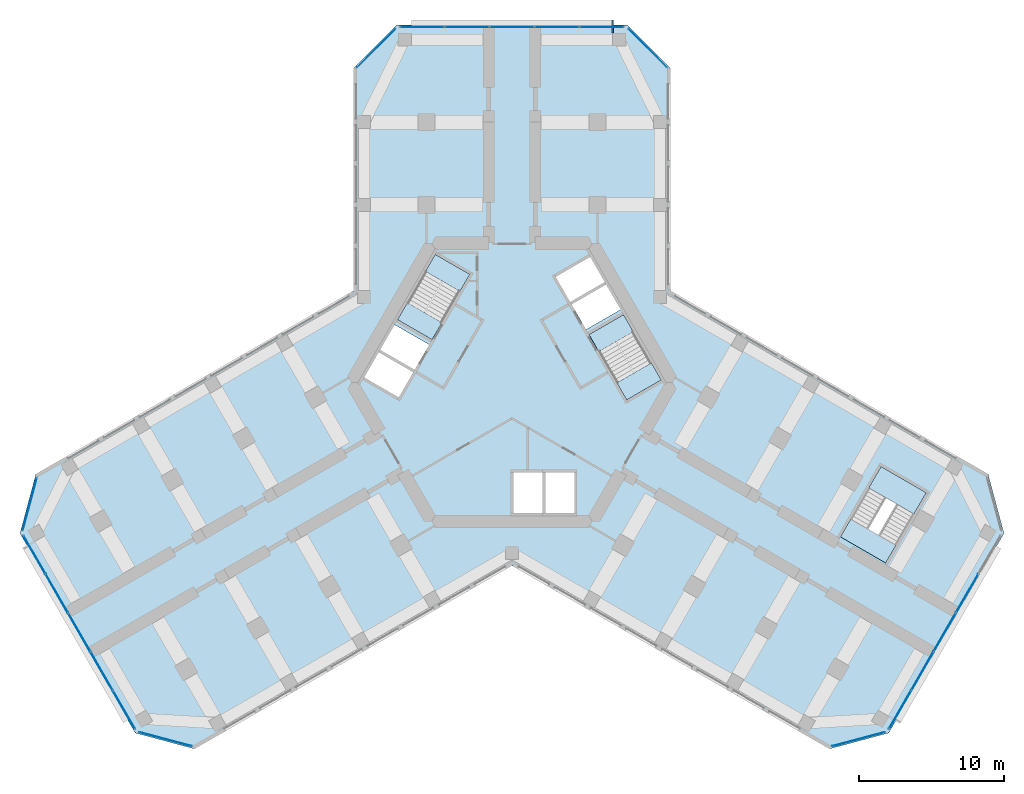
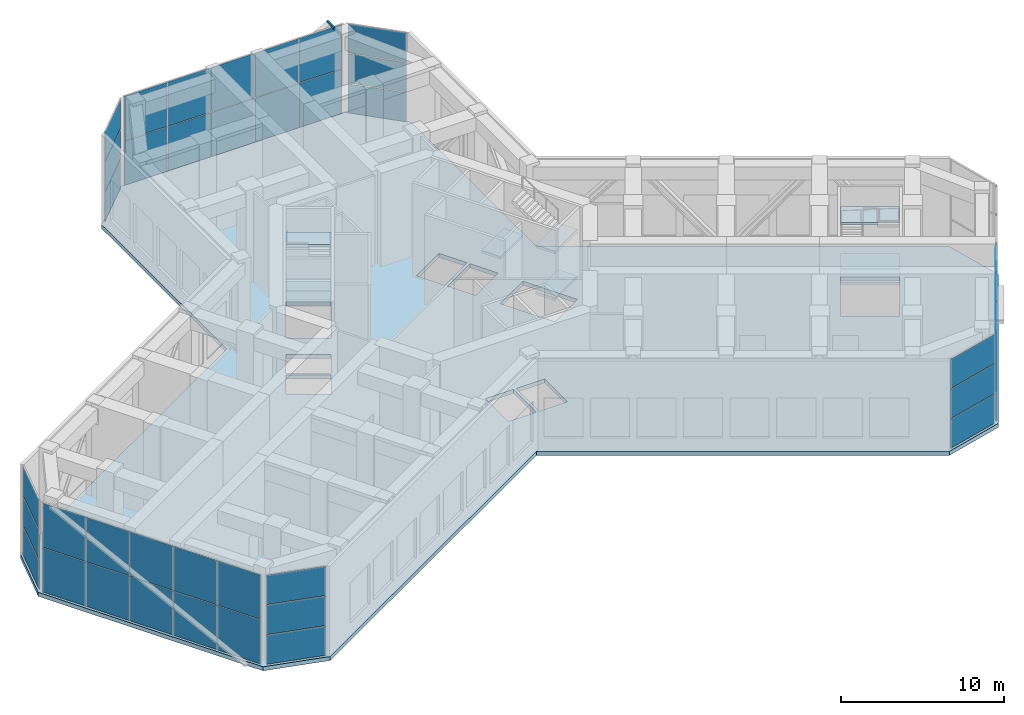
# One storey, part 9 of 15: 42 plates, 10 slabs, 1 member, 11 elements without a shape of their own.
"""IFC4 building model written with IfcOpenShell, lengths in metres."""

from ifc_helpers import new_model, si_unit, direction, frame, origin, origin_2d, place, context, subcontext, project, spatial, polyline, rectangle, hollow_rectangle, outline, extrude, material, layer, layer_set, material_profile, profile_set, type_object, element, aggregate, save


model = new_model("IFC4")

# Units and contexts
model_context = context("Model", 3, precision=1e-05, world=origin(), true_north=direction((0.0, 1.0)))
body_context = subcontext(model_context, "Body", "Model", "MODEL_VIEW")
ifc_project = project(units=[si_unit("LENGTHUNIT", "METRE"), si_unit("AREAUNIT", "SQUARE_METRE"), si_unit("VOLUMEUNIT", "CUBIC_METRE"), si_unit("PLANEANGLEUNIT", "RADIAN"), si_unit("MASSUNIT", "GRAM", prefix="KILO")], contexts=[model_context])

# Site, building, storey
site_placement = place(None, origin())
site = spatial("IfcSite", under=ifc_project, at=site_placement, CompositionType="ELEMENT")
building_placement = place(site_placement, origin())
building = spatial("IfcBuilding", under=site, at=building_placement, Name="Kosmar Iwan School Tower", CompositionType="ELEMENT")
storey_placement = place(building_placement, frame((0.0, 0.0, 186.800048828125)))
storey = spatial("IfcBuildingStorey", under=building, at=storey_placement, Name="L47", CompositionType="ELEMENT", Elevation=186.800048828125)

# Member
ifc_material_1 = material(Name="Steel S355", Category="steel")
ifc_material_profile = material_profile(ifc_material_1, hollow_rectangle(XDim=0.10009765625, YDim=0.199951171875, WallThickness=0.008056640625, at=origin_2d()), Name="RHS 200x100x8")
ifc_profile_set = profile_set([ifc_material_profile], Name="Steel S355")
member_type = type_object("IfcMemberType", Name="Fin bracket RHS 200x100", PredefinedType="USERDEFINED", material=ifc_profile_set)
member_placement = place(storey_placement, frame((6.949951171875, 24.10009765625, 6.875), z_axis=(0.0, 1.0, 0.0), x_axis=(-1.0, 0.0, 0.0)))
element("IfcMember", 1, at=member_placement, inside=storey, type_object=member_type, Name="Fin bracket L48", ObjectType="FIN BRACKET", PredefinedType="USERDEFINED", context=body_context, shape_type="SweptSolid", body=[
    extrude(hollow_rectangle(XDim=0.10009765625, YDim=0.199951171875, WallThickness=0.008056640625, at=origin_2d()), origin(), (0.0, 0.0, 1.0), 0.89990234375),
])

# Curtain wall, plates
ifc_material_2 = material(Name="Black aluminium louvres and glass", Category="aluminium")
curtain_wall_type_1 = type_object("IfcCurtainWallType", Name="Plant floor louvred curtain wall", PredefinedType="USERDEFINED", material=ifc_material_2)
curtain_wall_1_placement = place(storey_placement, origin())
curtain_wall_1 = element("IfcCurtainWall", 2, at=curtain_wall_1_placement, inside=storey, type_object=curtain_wall_type_1, Name="Curtain wall L47-F03", ObjectType="LOUVRED CURTAIN WALL", PredefinedType="USERDEFINED")
ifc_material_3 = material(Name="Black anodised aluminium louvre blades", Category="aluminium")
ifc_layer_1 = layer(ifc_material_3, 0.050048828125)
ifc_layer_set_1 = layer_set([ifc_layer_1], Name="Aluminium louvre panel")
plate_type_1 = type_object("IfcPlateType", Name="Aluminium louvre panel", PredefinedType="SHEET", material=ifc_layer_set_1)
plate_1_placement = place(storey_placement, frame((26.764404296875, -22.592529296875, 0.06005859375), z_axis=(0.0, 0.0, 1.0), x_axis=(0.499999997325, 0.866025405329, 0.0)))
plate_1 = element("IfcPlate", 3, at=plate_1_placement, type_object=plate_type_1, Name="CW4 panel 1.1", PredefinedType="CURTAIN_PANEL", context=body_context, shape_type="SweptSolid", body=[
    extrude(rectangle(XDim=3.00927734375, YDim=0.050048828125, at=origin_2d()), origin(), (0.0, 0.0, 1.0), 3.284912109375),
])
plate_2_placement = place(storey_placement, frame((26.764404296875, -22.592529296875, 3.40478515625), z_axis=(0.0, 0.0, 1.0), x_axis=(0.499999997325, 0.866025405329, 0.0)))
plate_2 = element("IfcPlate", 4, at=plate_2_placement, type_object=plate_type_1, Name="CW4 panel 1.2", PredefinedType="CURTAIN_PANEL", context=body_context, shape_type="SweptSolid", body=[
    extrude(rectangle(XDim=3.00927734375, YDim=0.050048828125, at=origin_2d()), origin(), (0.0, 0.0, 1.0), 3.284912109375),
])
plate_3_placement = place(storey_placement, frame((28.306640625, -19.921630859375, 0.06005859375), z_axis=(0.0, 0.0, 1.0), x_axis=(0.499999997325, 0.866025405329, 0.0)))
plate_3 = element("IfcPlate", 5, at=plate_3_placement, type_object=plate_type_1, Name="CW4 panel 2.1", PredefinedType="CURTAIN_PANEL", context=body_context, shape_type="SweptSolid", body=[
    extrude(rectangle(XDim=3.039306640625, YDim=0.050048828125, at=origin_2d()), origin(), (0.0, 0.0, 1.0), 3.284912109375),
])
plate_4_placement = place(storey_placement, frame((28.306640625, -19.921630859375, 3.40478515625), z_axis=(0.0, 0.0, 1.0), x_axis=(0.499999997325, 0.866025405329, 0.0)))
plate_4 = element("IfcPlate", 6, at=plate_4_placement, type_object=plate_type_1, Name="CW4 panel 2.2", PredefinedType="CURTAIN_PANEL", context=body_context, shape_type="SweptSolid", body=[
    extrude(rectangle(XDim=3.039306640625, YDim=0.050048828125, at=origin_2d()), origin(), (0.0, 0.0, 1.0), 3.284912109375),
])
plate_5_placement = place(storey_placement, frame((29.856201171875, -17.237548828125, 0.06005859375), z_axis=(0.0, 0.0, 1.0), x_axis=(0.499999997325, 0.866025405329, 0.0)))
plate_5 = element("IfcPlate", 7, at=plate_5_placement, type_object=plate_type_1, Name="CW4 panel 3.1", PredefinedType="CURTAIN_PANEL", context=body_context, shape_type="SweptSolid", body=[
    extrude(rectangle(XDim=3.039306640625, YDim=0.050048828125, at=origin_2d()), origin(), (0.0, 0.0, 1.0), 3.284912109375),
])
plate_6_placement = place(storey_placement, frame((29.856201171875, -17.237548828125, 3.40478515625), z_axis=(0.0, 0.0, 1.0), x_axis=(0.499999997325, 0.866025405329, 0.0)))
plate_6 = element("IfcPlate", 8, at=plate_6_placement, type_object=plate_type_1, Name="CW4 panel 3.2", PredefinedType="CURTAIN_PANEL", context=body_context, shape_type="SweptSolid", body=[
    extrude(rectangle(XDim=3.039306640625, YDim=0.050048828125, at=origin_2d()), origin(), (0.0, 0.0, 1.0), 3.284912109375),
])
plate_7_placement = place(storey_placement, frame((31.40576171875, -14.553466796875, 0.06005859375), z_axis=(0.0, 0.0, 1.0), x_axis=(0.499999997325, 0.866025405329, 0.0)))
plate_7 = element("IfcPlate", 9, at=plate_7_placement, type_object=plate_type_1, Name="CW4 panel 4.1", PredefinedType="CURTAIN_PANEL", context=body_context, shape_type="SweptSolid", body=[
    extrude(rectangle(XDim=3.039306640625, YDim=0.050048828125, at=origin_2d()), origin(), (0.0, 0.0, 1.0), 3.284912109375),
])
aggregate(curtain_wall_1, [plate_1, plate_2, plate_3, plate_4, plate_5, plate_6, plate_7])

curtain_wall_2_placement = place(storey_placement, origin())
curtain_wall_2 = element("IfcCurtainWall", 10, at=curtain_wall_2_placement, inside=storey, type_object=curtain_wall_type_1, Name="Curtain wall L47-F08", ObjectType="LOUVRED CURTAIN WALL", PredefinedType="USERDEFINED")
plate_8_placement = place(storey_placement, frame((6.18359375, 24.52490234375, 0.06005859375), z_axis=(0.0, 0.0, 1.0), x_axis=(-1.0, 0.0, 0.0)))
plate_8 = element("IfcPlate", 11, at=plate_8_placement, type_object=plate_type_1, Name="CW4 panel 1.1", PredefinedType="CURTAIN_PANEL", context=body_context, shape_type="SweptSolid", body=[
    extrude(rectangle(XDim=3.00927734375, YDim=0.050048828125, at=origin_2d()), origin(), (0.0, 0.0, 1.0), 3.284912109375),
])
plate_9_placement = place(storey_placement, frame((6.18359375, 24.52490234375, 3.40478515625), z_axis=(0.0, 0.0, 1.0), x_axis=(-1.0, 0.0, 0.0)))
plate_9 = element("IfcPlate", 12, at=plate_9_placement, type_object=plate_type_1, Name="CW4 panel 1.2", PredefinedType="CURTAIN_PANEL", context=body_context, shape_type="SweptSolid", body=[
    extrude(rectangle(XDim=3.00927734375, YDim=0.050048828125, at=origin_2d()), origin(), (0.0, 0.0, 1.0), 3.284912109375),
])
plate_10_placement = place(storey_placement, frame((3.099365234375, 24.52490234375, 0.06005859375), z_axis=(0.0, 0.0, 1.0), x_axis=(-1.0, 0.0, 0.0)))
plate_10 = element("IfcPlate", 13, at=plate_10_placement, type_object=plate_type_1, Name="CW4 panel 2.1", PredefinedType="CURTAIN_PANEL", context=body_context, shape_type="SweptSolid", body=[
    extrude(rectangle(XDim=3.039306640625, YDim=0.050048828125, at=origin_2d()), origin(), (0.0, 0.0, 1.0), 3.284912109375),
])
plate_11_placement = place(storey_placement, frame((3.099365234375, 24.52490234375, 3.40478515625), z_axis=(0.0, 0.0, 1.0), x_axis=(-1.0, 0.0, 0.0)))
plate_11 = element("IfcPlate", 14, at=plate_11_placement, type_object=plate_type_1, Name="CW4 panel 2.2", PredefinedType="CURTAIN_PANEL", context=body_context, shape_type="SweptSolid", body=[
    extrude(rectangle(XDim=3.039306640625, YDim=0.050048828125, at=origin_2d()), origin(), (0.0, 0.0, 1.0), 3.284912109375),
])
plate_12_placement = place(storey_placement, frame((0.0, 24.52490234375, 0.06005859375), z_axis=(0.0, 0.0, 1.0), x_axis=(-1.0, 0.0, 0.0)))
plate_12 = element("IfcPlate", 15, at=plate_12_placement, type_object=plate_type_1, Name="CW4 panel 3.1", PredefinedType="CURTAIN_PANEL", context=body_context, shape_type="SweptSolid", body=[
    extrude(rectangle(XDim=3.039306640625, YDim=0.050048828125, at=origin_2d()), origin(), (0.0, 0.0, 1.0), 3.284912109375),
])
plate_13_placement = place(storey_placement, frame((0.0, 24.52490234375, 3.40478515625), z_axis=(0.0, 0.0, 1.0), x_axis=(-1.0, 0.0, 0.0)))
plate_13 = element("IfcPlate", 16, at=plate_13_placement, type_object=plate_type_1, Name="CW4 panel 3.2", PredefinedType="CURTAIN_PANEL", context=body_context, shape_type="SweptSolid", body=[
    extrude(rectangle(XDim=3.039306640625, YDim=0.050048828125, at=origin_2d()), origin(), (0.0, 0.0, 1.0), 3.284912109375),
])
plate_14_placement = place(storey_placement, frame((-3.099365234375, 24.52490234375, 0.06005859375), z_axis=(0.0, 0.0, 1.0), x_axis=(-1.0, 0.0, 0.0)))
plate_14 = element("IfcPlate", 17, at=plate_14_placement, type_object=plate_type_1, Name="CW4 panel 4.1", PredefinedType="CURTAIN_PANEL", context=body_context, shape_type="SweptSolid", body=[
    extrude(rectangle(XDim=3.039306640625, YDim=0.050048828125, at=origin_2d()), origin(), (0.0, 0.0, 1.0), 3.284912109375),
])
plate_15_placement = place(storey_placement, frame((-3.099365234375, 24.52490234375, 3.40478515625), z_axis=(0.0, 0.0, 1.0), x_axis=(-1.0, 0.0, 0.0)))
plate_15 = element("IfcPlate", 18, at=plate_15_placement, type_object=plate_type_1, Name="CW4 panel 4.2", PredefinedType="CURTAIN_PANEL", context=body_context, shape_type="SweptSolid", body=[
    extrude(rectangle(XDim=3.039306640625, YDim=0.050048828125, at=origin_2d()), origin(), (0.0, 0.0, 1.0), 3.284912109375),
])
plate_16_placement = place(storey_placement, frame((-6.18359375, 24.52490234375, 0.06005859375), z_axis=(0.0, 0.0, 1.0), x_axis=(-1.0, 0.0, 0.0)))
plate_16 = element("IfcPlate", 19, at=plate_16_placement, type_object=plate_type_1, Name="CW4 panel 5.1", PredefinedType="CURTAIN_PANEL", context=body_context, shape_type="SweptSolid", body=[
    extrude(rectangle(XDim=3.00927734375, YDim=0.050048828125, at=origin_2d()), origin(), (0.0, 0.0, 1.0), 3.284912109375),
])
plate_17_placement = place(storey_placement, frame((-6.18359375, 24.52490234375, 3.40478515625), z_axis=(0.0, 0.0, 1.0), x_axis=(-1.0, 0.0, 0.0)))
plate_17 = element("IfcPlate", 20, at=plate_17_placement, type_object=plate_type_1, Name="CW4 panel 5.2", PredefinedType="CURTAIN_PANEL", context=body_context, shape_type="SweptSolid", body=[
    extrude(rectangle(XDim=3.00927734375, YDim=0.050048828125, at=origin_2d()), origin(), (0.0, 0.0, 1.0), 3.284912109375),
])
aggregate(curtain_wall_2, [plate_8, plate_9, plate_10, plate_11, plate_12, plate_13, plate_14, plate_15, plate_16, plate_17])

curtain_wall_3_placement = place(storey_placement, origin())
curtain_wall_3 = element("IfcCurtainWall", 21, at=curtain_wall_3_placement, inside=storey, type_object=curtain_wall_type_1, Name="Curtain wall L47-F13", ObjectType="LOUVRED CURTAIN WALL", PredefinedType="USERDEFINED")
plate_18_placement = place(storey_placement, frame((-32.947998046875, -11.88232421875, 0.06005859375), z_axis=(0.0, 0.0, 1.0), x_axis=(0.499999997325, -0.866025405329, 0.0)))
plate_18 = element("IfcPlate", 22, at=plate_18_placement, type_object=plate_type_1, Name="CW4 panel 1.1", PredefinedType="CURTAIN_PANEL", context=body_context, shape_type="SweptSolid", body=[
    extrude(rectangle(XDim=3.00927734375, YDim=0.050048828125, at=origin_2d()), origin(), (0.0, 0.0, 1.0), 3.284912109375),
])
plate_19_placement = place(storey_placement, frame((-32.947998046875, -11.88232421875, 3.40478515625), z_axis=(0.0, 0.0, 1.0), x_axis=(0.499999997325, -0.866025405329, 0.0)))
plate_19 = element("IfcPlate", 23, at=plate_19_placement, type_object=plate_type_1, Name="CW4 panel 1.2", PredefinedType="CURTAIN_PANEL", context=body_context, shape_type="SweptSolid", body=[
    extrude(rectangle(XDim=3.00927734375, YDim=0.050048828125, at=origin_2d()), origin(), (0.0, 0.0, 1.0), 3.284912109375),
])
plate_20_placement = place(storey_placement, frame((-31.40576171875, -14.553466796875, 0.06005859375), z_axis=(0.0, 0.0, 1.0), x_axis=(0.499999997325, -0.866025405329, 0.0)))
plate_20 = element("IfcPlate", 24, at=plate_20_placement, type_object=plate_type_1, Name="CW4 panel 2.1", PredefinedType="CURTAIN_PANEL", context=body_context, shape_type="SweptSolid", body=[
    extrude(rectangle(XDim=3.039306640625, YDim=0.050048828125, at=origin_2d()), origin(), (0.0, 0.0, 1.0), 3.284912109375),
])
plate_21_placement = place(storey_placement, frame((-31.40576171875, -14.553466796875, 3.40478515625), z_axis=(0.0, 0.0, 1.0), x_axis=(0.499999997325, -0.866025405329, 0.0)))
plate_21 = element("IfcPlate", 25, at=plate_21_placement, type_object=plate_type_1, Name="CW4 panel 2.2", PredefinedType="CURTAIN_PANEL", context=body_context, shape_type="SweptSolid", body=[
    extrude(rectangle(XDim=3.039306640625, YDim=0.050048828125, at=origin_2d()), origin(), (0.0, 0.0, 1.0), 3.284912109375),
])
plate_22_placement = place(storey_placement, frame((-29.856201171875, -17.237548828125, 0.06005859375), z_axis=(0.0, 0.0, 1.0), x_axis=(0.499999997325, -0.866025405329, 0.0)))
plate_22 = element("IfcPlate", 26, at=plate_22_placement, type_object=plate_type_1, Name="CW4 panel 3.1", PredefinedType="CURTAIN_PANEL", context=body_context, shape_type="SweptSolid", body=[
    extrude(rectangle(XDim=3.039306640625, YDim=0.050048828125, at=origin_2d()), origin(), (0.0, 0.0, 1.0), 3.284912109375),
])
plate_23_placement = place(storey_placement, frame((-29.856201171875, -17.237548828125, 3.40478515625), z_axis=(0.0, 0.0, 1.0), x_axis=(0.499999997325, -0.866025405329, 0.0)))
plate_23 = element("IfcPlate", 27, at=plate_23_placement, type_object=plate_type_1, Name="CW4 panel 3.2", PredefinedType="CURTAIN_PANEL", context=body_context, shape_type="SweptSolid", body=[
    extrude(rectangle(XDim=3.039306640625, YDim=0.050048828125, at=origin_2d()), origin(), (0.0, 0.0, 1.0), 3.284912109375),
])
plate_24_placement = place(storey_placement, frame((-28.306640625, -19.921630859375, 0.06005859375), z_axis=(0.0, 0.0, 1.0), x_axis=(0.499999997325, -0.866025405329, 0.0)))
plate_24 = element("IfcPlate", 28, at=plate_24_placement, type_object=plate_type_1, Name="CW4 panel 4.1", PredefinedType="CURTAIN_PANEL", context=body_context, shape_type="SweptSolid", body=[
    extrude(rectangle(XDim=3.039306640625, YDim=0.050048828125, at=origin_2d()), origin(), (0.0, 0.0, 1.0), 3.284912109375),
])
plate_25_placement = place(storey_placement, frame((-28.306640625, -19.921630859375, 3.40478515625), z_axis=(0.0, 0.0, 1.0), x_axis=(0.499999997325, -0.866025405329, 0.0)))
plate_25 = element("IfcPlate", 29, at=plate_25_placement, type_object=plate_type_1, Name="CW4 panel 4.2", PredefinedType="CURTAIN_PANEL", context=body_context, shape_type="SweptSolid", body=[
    extrude(rectangle(XDim=3.039306640625, YDim=0.050048828125, at=origin_2d()), origin(), (0.0, 0.0, 1.0), 3.284912109375),
])
plate_26_placement = place(storey_placement, frame((-26.764404296875, -22.592529296875, 0.06005859375), z_axis=(0.0, 0.0, 1.0), x_axis=(0.499999997325, -0.866025405329, 0.0)))
plate_26 = element("IfcPlate", 30, at=plate_26_placement, type_object=plate_type_1, Name="CW4 panel 5.1", PredefinedType="CURTAIN_PANEL", context=body_context, shape_type="SweptSolid", body=[
    extrude(rectangle(XDim=3.00927734375, YDim=0.050048828125, at=origin_2d()), origin(), (0.0, 0.0, 1.0), 3.284912109375),
])
plate_27_placement = place(storey_placement, frame((-26.764404296875, -22.592529296875, 3.40478515625), z_axis=(0.0, 0.0, 1.0), x_axis=(0.499999997325, -0.866025405329, 0.0)))
plate_27 = element("IfcPlate", 31, at=plate_27_placement, type_object=plate_type_1, Name="CW4 panel 5.2", PredefinedType="CURTAIN_PANEL", context=body_context, shape_type="SweptSolid", body=[
    extrude(rectangle(XDim=3.00927734375, YDim=0.050048828125, at=origin_2d()), origin(), (0.0, 0.0, 1.0), 3.284912109375),
])
aggregate(curtain_wall_3, [plate_18, plate_19, plate_20, plate_21, plate_22, plate_23, plate_24, plate_25, plate_26, plate_27])

ifc_material_4 = material(Name="Dark glass in black aluminium frame", Category="aluminium")
curtain_wall_type_2 = type_object("IfcCurtainWallType", Name="Chamfer curtain wall dark glass", PredefinedType="USERDEFINED", material=ifc_material_4)
curtain_wall_4_placement = place(storey_placement, origin())
curtain_wall_4 = element("IfcCurtainWall", 32, at=curtain_wall_4_placement, inside=storey, type_object=curtain_wall_type_2, Name="Curtain wall L47-F02", ObjectType="FACETED CURTAIN WALL", PredefinedType="USERDEFINED")
ifc_material_5 = material(Name="Dark glass", Category="glass")
ifc_layer_2 = layer(ifc_material_5, 0.028076171875)
ifc_layer_set_2 = layer_set([ifc_layer_2], Name="Dark glass panel 28")
plate_type_2 = type_object("IfcPlateType", Name="Dark glass panel 28", PredefinedType="CURTAIN_PANEL", material=ifc_layer_set_2)
plate_28_placement = place(storey_placement, frame((23.908203125, -24.61328125, 0.06005859375), z_axis=(0.0, 0.0, 1.0), x_axis=(0.965925875495, 0.258818861462, 0.0)))
plate_28 = element("IfcPlate", 33, at=plate_28_placement, type_object=plate_type_2, Name="CW2 panel 1.1", PredefinedType="CURTAIN_PANEL", context=body_context, shape_type="SweptSolid", body=[
    extrude(rectangle(XDim=3.718994140625, YDim=0.028076171875, at=origin_2d()), origin(), (0.0, 0.0, 1.0), 2.159912109375),
])
plate_29_placement = place(storey_placement, frame((23.908203125, -24.61328125, 2.280029296875), z_axis=(0.0, 0.0, 1.0), x_axis=(0.965925875495, 0.258818861462, 0.0)))
plate_29 = element("IfcPlate", 34, at=plate_29_placement, type_object=plate_type_2, Name="CW2 panel 1.2", PredefinedType="CURTAIN_PANEL", context=body_context, shape_type="SweptSolid", body=[
    extrude(rectangle(XDim=3.718994140625, YDim=0.028076171875, at=origin_2d()), origin(), (0.0, 0.0, 1.0), 2.18994140625),
])
plate_30_placement = place(storey_placement, frame((23.908203125, -24.61328125, 4.52978515625), z_axis=(0.0, 0.0, 1.0), x_axis=(0.965925875495, 0.258818861462, 0.0)))
plate_30 = element("IfcPlate", 35, at=plate_30_placement, type_object=plate_type_2, Name="CW2 panel 1.3", PredefinedType="CURTAIN_PANEL", context=body_context, shape_type="SweptSolid", body=[
    extrude(rectangle(XDim=3.718994140625, YDim=0.028076171875, at=origin_2d()), origin(), (0.0, 0.0, 1.0), 2.159912109375),
])
aggregate(curtain_wall_4, [plate_28, plate_29, plate_30])

curtain_wall_5_placement = place(storey_placement, origin())
curtain_wall_5 = element("IfcCurtainWall", 36, at=curtain_wall_5_placement, inside=storey, type_object=curtain_wall_type_2, Name="Curtain wall L47-F07", ObjectType="FACETED CURTAIN WALL", PredefinedType="USERDEFINED")
plate_31_placement = place(storey_placement, frame((9.361572265625, 23.0615234375, 0.06005859375), z_axis=(0.0, 0.0, 1.0), x_axis=(-0.707106781187, 0.707106781187, 0.0)))
plate_31 = element("IfcPlate", 37, at=plate_31_placement, type_object=plate_type_2, Name="CW2 panel 1.1", PredefinedType="CURTAIN_PANEL", context=body_context, shape_type="SweptSolid", body=[
    extrude(rectangle(XDim=3.718994140625, YDim=0.028076171875, at=origin_2d()), origin(), (0.0, 0.0, 1.0), 2.159912109375),
])
plate_32_placement = place(storey_placement, frame((9.361572265625, 23.0615234375, 2.280029296875), z_axis=(0.0, 0.0, 1.0), x_axis=(-0.707106781187, 0.707106781187, 0.0)))
plate_32 = element("IfcPlate", 38, at=plate_32_placement, type_object=plate_type_2, Name="CW2 panel 1.2", PredefinedType="CURTAIN_PANEL", context=body_context, shape_type="SweptSolid", body=[
    extrude(rectangle(XDim=3.718994140625, YDim=0.028076171875, at=origin_2d()), origin(), (0.0, 0.0, 1.0), 2.18994140625),
])
plate_33_placement = place(storey_placement, frame((9.361572265625, 23.0615234375, 4.52978515625), z_axis=(0.0, 0.0, 1.0), x_axis=(-0.707106781187, 0.707106781187, 0.0)))
plate_33 = element("IfcPlate", 39, at=plate_33_placement, type_object=plate_type_2, Name="CW2 panel 1.3", PredefinedType="CURTAIN_PANEL", context=body_context, shape_type="SweptSolid", body=[
    extrude(rectangle(XDim=3.718994140625, YDim=0.028076171875, at=origin_2d()), origin(), (0.0, 0.0, 1.0), 2.159912109375),
])
aggregate(curtain_wall_5, [plate_31, plate_32, plate_33])

curtain_wall_6_placement = place(storey_placement, origin())
curtain_wall_6 = element("IfcCurtainWall", 40, at=curtain_wall_6_placement, inside=storey, type_object=curtain_wall_type_2, Name="Curtain wall L47-F09", ObjectType="FACETED CURTAIN WALL", PredefinedType="USERDEFINED")
plate_34_placement = place(storey_placement, frame((-9.361572265625, 23.0615234375, 0.06005859375), z_axis=(0.0, 0.0, 1.0), x_axis=(-0.707106781187, -0.707106781187, 0.0)))
plate_34 = element("IfcPlate", 41, at=plate_34_placement, type_object=plate_type_2, Name="CW2 panel 1.1", PredefinedType="CURTAIN_PANEL", context=body_context, shape_type="SweptSolid", body=[
    extrude(rectangle(XDim=3.718994140625, YDim=0.028076171875, at=origin_2d()), origin(), (0.0, 0.0, 1.0), 2.159912109375),
])
plate_35_placement = place(storey_placement, frame((-9.361572265625, 23.0615234375, 2.280029296875), z_axis=(0.0, 0.0, 1.0), x_axis=(-0.707106781187, -0.707106781187, 0.0)))
plate_35 = element("IfcPlate", 42, at=plate_35_placement, type_object=plate_type_2, Name="CW2 panel 1.2", PredefinedType="CURTAIN_PANEL", context=body_context, shape_type="SweptSolid", body=[
    extrude(rectangle(XDim=3.718994140625, YDim=0.028076171875, at=origin_2d()), origin(), (0.0, 0.0, 1.0), 2.18994140625),
])
plate_36_placement = place(storey_placement, frame((-9.361572265625, 23.0615234375, 4.52978515625), z_axis=(0.0, 0.0, 1.0), x_axis=(-0.707106781187, -0.707106781187, 0.0)))
plate_36 = element("IfcPlate", 43, at=plate_36_placement, type_object=plate_type_2, Name="CW2 panel 1.3", PredefinedType="CURTAIN_PANEL", context=body_context, shape_type="SweptSolid", body=[
    extrude(rectangle(XDim=3.718994140625, YDim=0.028076171875, at=origin_2d()), origin(), (0.0, 0.0, 1.0), 2.159912109375),
])
aggregate(curtain_wall_6, [plate_34, plate_35, plate_36])

curtain_wall_7_placement = place(storey_placement, origin())
curtain_wall_7 = element("IfcCurtainWall", 44, at=curtain_wall_7_placement, inside=storey, type_object=curtain_wall_type_2, Name="Curtain wall L47-F12", ObjectType="FACETED CURTAIN WALL", PredefinedType="USERDEFINED")
plate_37_placement = place(storey_placement, frame((-33.269775390625, -8.3984375, 0.06005859375), z_axis=(0.0, 0.0, 1.0), x_axis=(-0.258818861462, -0.965925875495, 0.0)))
plate_37 = element("IfcPlate", 45, at=plate_37_placement, type_object=plate_type_2, Name="CW2 panel 1.1", PredefinedType="CURTAIN_PANEL", context=body_context, shape_type="SweptSolid", body=[
    extrude(rectangle(XDim=3.718994140625, YDim=0.028076171875, at=origin_2d()), origin(), (0.0, 0.0, 1.0), 2.159912109375),
])
plate_38_placement = place(storey_placement, frame((-33.269775390625, -8.3984375, 2.280029296875), z_axis=(0.0, 0.0, 1.0), x_axis=(-0.258818861462, -0.965925875495, 0.0)))
plate_38 = element("IfcPlate", 46, at=plate_38_placement, type_object=plate_type_2, Name="CW2 panel 1.2", PredefinedType="CURTAIN_PANEL", context=body_context, shape_type="SweptSolid", body=[
    extrude(rectangle(XDim=3.718994140625, YDim=0.028076171875, at=origin_2d()), origin(), (0.0, 0.0, 1.0), 2.18994140625),
])
plate_39_placement = place(storey_placement, frame((-33.269775390625, -8.3984375, 4.52978515625), z_axis=(0.0, 0.0, 1.0), x_axis=(-0.258818861462, -0.965925875495, 0.0)))
plate_39 = element("IfcPlate", 47, at=plate_39_placement, type_object=plate_type_2, Name="CW2 panel 1.3", PredefinedType="CURTAIN_PANEL", context=body_context, shape_type="SweptSolid", body=[
    extrude(rectangle(XDim=3.718994140625, YDim=0.028076171875, at=origin_2d()), origin(), (0.0, 0.0, 1.0), 2.159912109375),
])
aggregate(curtain_wall_7, [plate_37, plate_38, plate_39])

curtain_wall_8_placement = place(storey_placement, origin())
curtain_wall_8 = element("IfcCurtainWall", 48, at=curtain_wall_8_placement, inside=storey, type_object=curtain_wall_type_2, Name="Curtain wall L47-F14", ObjectType="FACETED CURTAIN WALL", PredefinedType="USERDEFINED")
plate_40_placement = place(storey_placement, frame((-23.908203125, -24.61328125, 0.06005859375), z_axis=(0.0, 0.0, 1.0), x_axis=(0.965925875495, -0.258818861462, 0.0)))
plate_40 = element("IfcPlate", 49, at=plate_40_placement, type_object=plate_type_2, Name="CW2 panel 1.1", PredefinedType="CURTAIN_PANEL", context=body_context, shape_type="SweptSolid", body=[
    extrude(rectangle(XDim=3.718994140625, YDim=0.028076171875, at=origin_2d()), origin(), (0.0, 0.0, 1.0), 2.159912109375),
])
plate_41_placement = place(storey_placement, frame((-23.908203125, -24.61328125, 2.280029296875), z_axis=(0.0, 0.0, 1.0), x_axis=(0.965925875495, -0.258818861462, 0.0)))
plate_41 = element("IfcPlate", 50, at=plate_41_placement, type_object=plate_type_2, Name="CW2 panel 1.2", PredefinedType="CURTAIN_PANEL", context=body_context, shape_type="SweptSolid", body=[
    extrude(rectangle(XDim=3.718994140625, YDim=0.028076171875, at=origin_2d()), origin(), (0.0, 0.0, 1.0), 2.18994140625),
])
plate_42_placement = place(storey_placement, frame((-23.908203125, -24.61328125, 4.52978515625), z_axis=(0.0, 0.0, 1.0), x_axis=(0.965925875495, -0.258818861462, 0.0)))
plate_42 = element("IfcPlate", 51, at=plate_42_placement, type_object=plate_type_2, Name="CW2 panel 1.3", PredefinedType="CURTAIN_PANEL", context=body_context, shape_type="SweptSolid", body=[
    extrude(rectangle(XDim=3.718994140625, YDim=0.028076171875, at=origin_2d()), origin(), (0.0, 0.0, 1.0), 2.159912109375),
])
aggregate(curtain_wall_8, [plate_40, plate_41, plate_42])

# Stair, slabs
ifc_material_6 = material(Name="Concrete C35/45", Category="concrete")
stair_type_1 = type_object("IfcStairType", Name="Escape stair 3600", PredefinedType="HALF_TURN_STAIR", material=ifc_material_6)
stair_1_placement = place(storey_placement, origin())
stair_1 = element("IfcStair", 52, at=stair_1_placement, inside=storey, type_object=stair_type_1, Name="Stair WS3 L47", PredefinedType="HALF_TURN_STAIR")
ifc_material_7 = material(Name="Concrete C35/45", Category="concrete")
ifc_layer_3 = layer(ifc_material_7, 0.199951171875)
ifc_layer_set_3 = layer_set([ifc_layer_3], Name="Escape stair landing 200")
slab_type_1 = type_object("IfcSlabType", Name="Escape stair landing 200", PredefinedType="LANDING", material=ifc_layer_set_3)
slab_1_placement = place(storey_placement, frame((0.0, 0.0, 1.550048828125)))
slab_1 = element("IfcSlab", 53, at=slab_1_placement, type_object=slab_type_1, Name="WS3 landing 1", PredefinedType="LANDING", context=body_context, shape_type="SweptSolid", body=[
    extrude(outline(polyline([(24.607421875, -7.27880859375), (27.72509765625, -9.078857421875), (28.574951171875, -7.606689453125), (25.457275390625, -5.806640625), (24.607421875, -7.27880859375)])), origin(), (0.0, 0.0, 1.0), 0.199951171875),
])
slab_2_placement = place(storey_placement, frame((0.0, 0.0, 3.300048828125)))
slab_2 = element("IfcSlab", 54, at=slab_2_placement, type_object=slab_type_1, Name="WS3 landing 2", PredefinedType="LANDING", context=body_context, shape_type="SweptSolid", body=[
    extrude(outline(polyline([(22.6572265625, -10.65625), (25.775146484375, -12.456298828125), (26.485107421875, -11.2265625), (23.367431640625, -9.426513671875), (22.6572265625, -10.65625)])), origin(), (0.0, 0.0, 1.0), 0.199951171875),
])
slab_3_placement = place(storey_placement, frame((0.0, 0.0, 5.050048828125)))
slab_3 = element("IfcSlab", 55, at=slab_3_placement, type_object=slab_type_1, Name="WS3 landing 3", PredefinedType="LANDING", context=body_context, shape_type="SweptSolid", body=[
    extrude(outline(polyline([(24.607421875, -7.27880859375), (27.72509765625, -9.078857421875), (28.574951171875, -7.606689453125), (25.457275390625, -5.806640625), (24.607421875, -7.27880859375)])), origin(), (0.0, 0.0, 1.0), 0.199951171875),
])
aggregate(stair_1, [slab_1, slab_2, slab_3])

# Slab
ifc_material_8 = material(Name="Concrete C35/45", Category="concrete")
ifc_layer_4 = layer(ifc_material_8, 0.300048828125)
ifc_layer_set_4 = layer_set([ifc_layer_4], Name="Plant floor slab 300")
slab_type_2 = type_object("IfcSlabType", Name="Plant floor slab 300", PredefinedType="FLOOR", material=ifc_layer_set_4)
slab_4_placement = place(storey_placement, frame((0.0, 0.0, -0.300048828125)))
element("IfcSlab", 56, at=slab_4_placement, inside=storey, type_object=slab_type_2, Name="L47 floor slab", PredefinedType="FLOOR", context=body_context, shape_type="SweptSolid", body=[
    extrude(outline(polyline([(-21.891357421875, -25.282958984375), (0.0, -12.64404296875), (21.891357421875, -25.282958984375), (25.989501953125, -24.184814453125), (33.939453125, -10.4150390625), (32.84130859375, -6.317138671875), (10.949951171875, 6.322021484375), (10.949951171875, 21.64990234375), (7.949951171875, 24.64990234375), (-7.949951171875, 24.64990234375), (-10.949951171875, 21.64990234375), (-10.949951171875, 6.322021484375), (-32.84130859375, -6.317138671875), (-33.939453125, -10.4150390625), (-25.989501953125, -24.184814453125), (-21.891357421875, -25.282958984375)]), holes=[polyline([(7.91259765625, -1.205078125), (10.294189453125, 0.169921875), (8.3642578125, 3.5126953125), (5.982666015625, 2.1376953125), (7.91259765625, -1.205078125)]), polyline([(-2.91259765625, 7.455078125), (-5.294189453125, 8.830078125), (-7.22412109375, 5.4873046875), (-4.8427734375, 4.1123046875), (-2.91259765625, 7.455078125)]), polyline([(-5.712646484375, 2.60546875), (-8.09423828125, 3.98046875), (-9.09423828125, 2.248291015625), (-6.712646484375, 0.873291015625), (-5.712646484375, 2.60546875)]), polyline([(-6.812744140625, 0.7001953125), (-9.1943359375, 2.0751953125), (-10.1943359375, 0.343017578125), (-7.812744140625, -1.031982421875), (-6.812744140625, 0.7001953125)]), polyline([(5.112548828125, 3.64453125), (7.494140625, 5.01953125), (6.494140625, 6.751708984375), (4.112548828125, 5.376708984375), (5.112548828125, 3.64453125)]), polyline([(4.0126953125, 5.5498046875), (6.394287109375, 6.9248046875), (5.394287109375, 8.656982421875), (3.0126953125, 7.281982421875), (4.0126953125, 5.5498046875)]), polyline([(0.10009765625, -6.199951171875), (0.10009765625, -9.0), (2.10009765625, -9.0), (2.10009765625, -6.199951171875), (0.10009765625, -6.199951171875)]), polyline([(2.300048828125, -6.199951171875), (2.300048828125, -9.0), (4.300048828125, -9.0), (4.300048828125, -6.199951171875), (2.300048828125, -6.199951171875)]), polyline([(23.367431640625, -9.426513671875), (26.485107421875, -11.2265625), (28.574951171875, -7.606689453125), (25.457275390625, -5.806640625), (23.367431640625, -9.426513671875)])]), origin(), (0.0, 0.0, 1.0), 0.300048828125),
])

# Stair, slabs
ifc_material_9 = material(Name="Concrete C35/45", Category="concrete")
stair_type_2 = type_object("IfcStairType", Name="Core stair 2750", PredefinedType="HALF_TURN_STAIR", material=ifc_material_9)
stair_2_placement = place(storey_placement, origin())
stair_2 = element("IfcStair", 57, at=stair_2_placement, inside=storey, type_object=stair_type_2, Name="Stair ST2 L47", PredefinedType="HALF_TURN_STAIR")
ifc_material_10 = material(Name="Concrete C35/45", Category="concrete")
ifc_layer_5 = layer(ifc_material_10, 0.199951171875)
ifc_layer_set_5 = layer_set([ifc_layer_5], Name="Stair landing 200")
slab_type_3 = type_object("IfcSlabType", Name="Stair landing 200", PredefinedType="LANDING", material=ifc_layer_set_5)
slab_5_placement = place(storey_placement, frame((0.0, 0.0, 1.550048828125)))
slab_5 = element("IfcSlab", 58, at=slab_5_placement, type_object=slab_type_3, Name="ST2 landing 1", PredefinedType="LANDING", context=body_context, shape_type="SweptSolid", body=[
    extrude(outline(polyline([(-2.91259765625, 7.455078125), (-5.294189453125, 8.830078125), (-5.97412109375, 7.65234375), (-3.5927734375, 6.27734375), (-2.91259765625, 7.455078125)])), origin(), (0.0, 0.0, 1.0), 0.199951171875),
])
slab_6_placement = place(storey_placement, frame((0.0, 0.0, 3.300048828125)))
slab_6 = element("IfcSlab", 59, at=slab_6_placement, type_object=slab_type_3, Name="ST2 landing 2", PredefinedType="LANDING", context=body_context, shape_type="SweptSolid", body=[
    extrude(outline(polyline([(-4.832763671875, 4.129638671875), (-7.214111328125, 5.504638671875), (-7.894287109375, 4.326904296875), (-5.5126953125, 2.951904296875), (-4.832763671875, 4.129638671875)])), origin(), (0.0, 0.0, 1.0), 0.199951171875),
])
slab_7_placement = place(storey_placement, frame((0.0, 0.0, 5.050048828125)))
slab_7 = element("IfcSlab", 60, at=slab_7_placement, type_object=slab_type_3, Name="ST2 landing 3", PredefinedType="LANDING", context=body_context, shape_type="SweptSolid", body=[
    extrude(outline(polyline([(-2.91259765625, 7.455078125), (-5.294189453125, 8.830078125), (-5.97412109375, 7.65234375), (-3.5927734375, 6.27734375), (-2.91259765625, 7.455078125)])), origin(), (0.0, 0.0, 1.0), 0.199951171875),
])
aggregate(stair_2, [slab_5, slab_6, slab_7])

stair_3_placement = place(storey_placement, origin())
stair_3 = element("IfcStair", 61, at=stair_3_placement, inside=storey, type_object=stair_type_2, Name="Stair ST1 L47", PredefinedType="HALF_TURN_STAIR")
slab_8_placement = place(storey_placement, frame((0.0, 0.0, 1.550048828125)))
slab_8 = element("IfcSlab", 62, at=slab_8_placement, type_object=slab_type_3, Name="ST1 landing 1", PredefinedType="LANDING", context=body_context, shape_type="SweptSolid", body=[
    extrude(outline(polyline([(7.91259765625, -1.205078125), (10.294189453125, 0.169921875), (9.6142578125, 1.34765625), (7.232666015625, -0.02734375), (7.91259765625, -1.205078125)])), origin(), (0.0, 0.0, 1.0), 0.199951171875),
])
slab_9_placement = place(storey_placement, frame((0.0, 0.0, 3.300048828125)))
slab_9 = element("IfcSlab", 63, at=slab_9_placement, type_object=slab_type_3, Name="ST1 landing 2", PredefinedType="LANDING", context=body_context, shape_type="SweptSolid", body=[
    extrude(outline(polyline([(5.99267578125, 2.120361328125), (8.374267578125, 3.495361328125), (7.6943359375, 4.673095703125), (5.312744140625, 3.298095703125), (5.99267578125, 2.120361328125)])), origin(), (0.0, 0.0, 1.0), 0.199951171875),
])
slab_10_placement = place(storey_placement, frame((0.0, 0.0, 5.050048828125)))
slab_10 = element("IfcSlab", 64, at=slab_10_placement, type_object=slab_type_3, Name="ST1 landing 3", PredefinedType="LANDING", context=body_context, shape_type="SweptSolid", body=[
    extrude(outline(polyline([(7.91259765625, -1.205078125), (10.294189453125, 0.169921875), (9.6142578125, 1.34765625), (7.232666015625, -0.02734375), (7.91259765625, -1.205078125)])), origin(), (0.0, 0.0, 1.0), 0.199951171875),
])
aggregate(stair_3, [slab_8, slab_9, slab_10])

save(model, "model.ifc")
